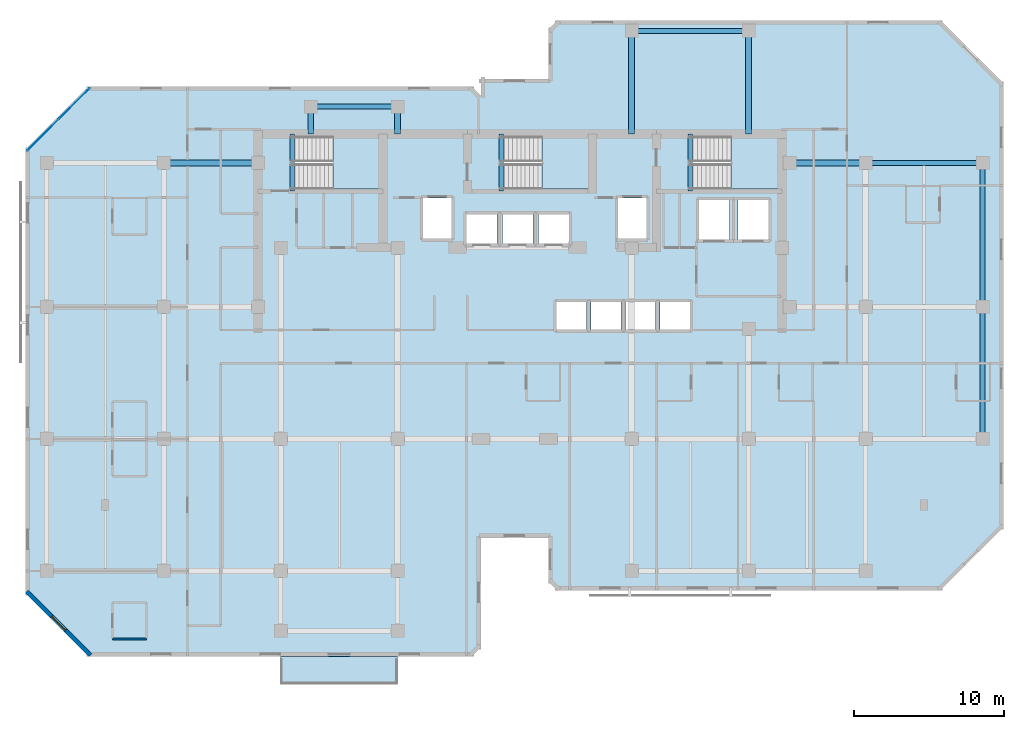
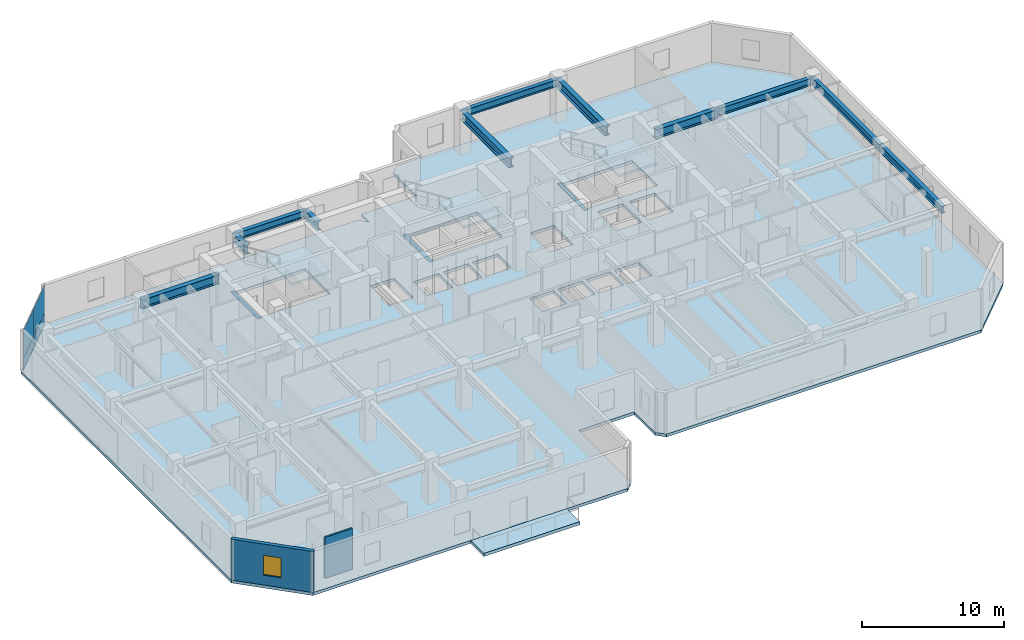
# One storey, part 3 of 10: 14 beams, 5 slabs, 4 plates, 2 walls, 1 window, 1 opening, 4 elements without a shape of their own.
"""IFC4 building model written with IfcOpenShell, lengths in metres."""

from ifc_helpers import new_model, si_unit, direction, frame, frame_2d, origin, origin_2d, place, context, subcontext, project, spatial, polyline, rectangle, i_section, outline, extrude, material, layer, layer_set, material_profile, profile_set, type_object, element, fill, aggregate, save


model = new_model("IFC4")

# Units and contexts
model_context = context("Model", 3, precision=1e-05, world=origin(), true_north=direction((0.0, 1.0)))
body_context = subcontext(model_context, "Body", "Model", "MODEL_VIEW")
ifc_project = project(units=[si_unit("LENGTHUNIT", "METRE"), si_unit("AREAUNIT", "SQUARE_METRE"), si_unit("VOLUMEUNIT", "CUBIC_METRE"), si_unit("PLANEANGLEUNIT", "RADIAN"), si_unit("MASSUNIT", "GRAM", prefix="KILO")], contexts=[model_context])

# Site, building, storey
site_placement = place(None, origin())
site = spatial("IfcSite", under=ifc_project, at=site_placement, CompositionType="ELEMENT")
building_placement = place(site_placement, origin())
building = spatial("IfcBuilding", under=site, at=building_placement, Name="Kestravale Grand Hotel", CompositionType="ELEMENT")
storey_placement = place(building_placement, frame((0.0, 0.0, 236.5)))
storey = spatial("IfcBuildingStorey", under=building, at=storey_placement, Name="L59", CompositionType="ELEMENT", Elevation=236.5)

# Beams
ifc_material_1 = material(Name="Concrete f'c 45 MPa", Category="concrete")
ifc_material_profile_1 = material_profile(ifc_material_1, rectangle(XDim=0.300048828125, YDim=0.39990234375, at=origin_2d()))
ifc_profile_set_1 = profile_set([ifc_material_profile_1], Name="Concrete f'c 45 MPa")
beam_type_1 = type_object("IfcBeamType", Name="B-FLR-LNT400", PredefinedType="LINTEL", material=ifc_profile_set_1)
for number, where, z_axis, x_axis, name in (
    (1, (24.159912109375, 36.52001953125, -0.199951171875), (0.0, 1.0, 0.0), (-1.0, 0.0, 0.0), "L59 ST1 flight bottom header beam"),
    (2, (38.110107421875, 36.52001953125, -0.199951171875), (0.0, 1.0, 0.0), (-1.0, 0.0, 0.0), "L59 ST2 flight bottom header beam"),
    (3, (50.7099609375, 36.52001953125, -0.199951171875), (0.0, 1.0, 0.0), (-1.0, 0.0, 0.0), "L59 ST3 flight bottom header beam"),
):
    element("IfcBeam", number, at=place(storey_placement, frame(where, z_axis=z_axis, x_axis=x_axis)), inside=storey, type_object=beam_type_1, Name=name, PredefinedType="LINTEL", context=body_context, shape_type="SweptSolid", body=[
        extrude(rectangle(XDim=0.300048828125, YDim=0.39990234375, at=origin_2d()), origin(), (0.0, 0.0, 1.0), 3.800048828125),
    ])
ifc_material_2 = material(Name="Steel ASTM A992 Grade 50", Category="steel")
ifc_material_profile_2 = material_profile(ifc_material_2, i_section(OverallWidth=0.324951171875, OverallDepth=0.612060546875, WebThickness=0.0126953125, FlangeThickness=0.01904296875, FilletRadius=0.018798828125, at=origin_2d()))
ifc_profile_set_2 = profile_set([ifc_material_profile_2], Name="Steel ASTM A992 Grade 50")
beam_type_2 = type_object("IfcBeamType", Name="B-FLR-W24A", PredefinedType="SPANDREL", material=ifc_profile_set_2)
for number, where, z_axis, x_axis, name in (
    (4, (62.39990234375, 38.39990234375, 3.214111328125), (1.0, 0.0, 0.0), (0.0, 1.0, 0.0), "L59 spandrel F:10-11"),
    (5, (46.800048828125, 47.199951171875, 3.214111328125), (1.0, 0.0, 0.0), (0.0, 1.0, 0.0), "L59 spandrel G:8-9"),
):
    element("IfcBeam", number, at=place(storey_placement, frame(where, z_axis=z_axis, x_axis=x_axis)), inside=storey, type_object=beam_type_2, Name=name, PredefinedType="SPANDREL", context=body_context, shape_type="SweptSolid", body=[
        extrude(i_section(OverallWidth=0.324951171875, OverallDepth=0.612060546875, WebThickness=0.0126953125, FlangeThickness=0.01904296875, FilletRadius=0.018798828125, at=origin_2d()), origin(), (0.0, 0.0, 1.0), 7.800048828125),
    ])
beam_1_placement = place(storey_placement, frame((25.39990234375, 42.14990234375, 3.214111328125), z_axis=(1.0, 0.0, 0.0), x_axis=(0.0, 1.0, 0.0)))
element("IfcBeam", 6, at=beam_1_placement, inside=storey, type_object=beam_type_2, Name="L59 perimeter tie spandrel FN:4-5", PredefinedType="SPANDREL", context=body_context, shape_type="SweptSolid", body=[
    extrude(i_section(OverallWidth=0.324951171875, OverallDepth=0.612060546875, WebThickness=0.0126953125, FlangeThickness=0.01904296875, FilletRadius=0.018798828125, at=origin_2d()), origin(), (0.0, 0.0, 1.0), 5.800048828125),
])
beam_2_placement = place(storey_placement, frame((70.199951171875, 20.0, 3.214111328125), z_axis=(0.0, 1.0, 0.0), x_axis=(-1.0, 0.0, 0.0)))
element("IfcBeam", 7, at=beam_2_placement, inside=storey, type_object=beam_type_2, Name="L59 spandrel 11:D-E", PredefinedType="SPANDREL", context=body_context, shape_type="SweptSolid", body=[
    extrude(i_section(OverallWidth=0.324951171875, OverallDepth=0.612060546875, WebThickness=0.0126953125, FlangeThickness=0.01904296875, FilletRadius=0.018798828125, at=origin_2d()), origin(), (0.0, 0.0, 1.0), 8.800048828125),
])
beam_3_placement = place(storey_placement, frame((70.199951171875, 28.800048828125, 3.214111328125), z_axis=(0.0, 1.0, 0.0), x_axis=(-1.0, 0.0, 0.0)))
element("IfcBeam", 8, at=beam_3_placement, inside=storey, type_object=beam_type_2, Name="L59 spandrel 11:E-F", PredefinedType="SPANDREL", context=body_context, shape_type="SweptSolid", body=[
    extrude(i_section(OverallWidth=0.324951171875, OverallDepth=0.612060546875, WebThickness=0.0126953125, FlangeThickness=0.01904296875, FilletRadius=0.018798828125, at=origin_2d()), origin(), (0.0, 0.0, 1.0), 9.599853515625),
])
ifc_material_3 = material(Name="Steel ASTM A992 Grade 50", Category="steel")
ifc_material_profile_3 = material_profile(ifc_material_3, i_section(OverallWidth=0.381103515625, OverallDepth=0.77197265625, WebThickness=0.0166015625, FlangeThickness=0.027099609375, FilletRadius=0.023681640625, at=origin_2d()))
ifc_profile_set_3 = profile_set([ifc_material_profile_3], Name="Steel ASTM A992 Grade 50")
beam_type_3 = type_object("IfcBeamType", Name="B-GRD-W30", PredefinedType="BEAM", material=ifc_profile_set_3)
beam_4_placement = place(storey_placement, frame((15.60009765625, 38.39990234375, 3.134033203125), z_axis=(1.0, 0.0, 0.0), x_axis=(0.0, 1.0, 0.0)))
element("IfcBeam", 9, at=beam_4_placement, inside=storey, type_object=beam_type_3, Name="L59 girder F:3-CW", PredefinedType="BEAM", context=body_context, shape_type="SweptSolid", body=[
    extrude(i_section(OverallWidth=0.381103515625, OverallDepth=0.77197265625, WebThickness=0.0166015625, FlangeThickness=0.027099609375, FilletRadius=0.023681640625, at=origin_2d()), origin(), (0.0, 0.0, 1.0), 6.2998046875),
])
beam_5_placement = place(storey_placement, frame((57.35009765625, 38.39990234375, 3.134033203125), z_axis=(1.0, 0.0, 0.0), x_axis=(0.0, 1.0, 0.0)))
element("IfcBeam", 10, at=beam_5_placement, inside=storey, type_object=beam_type_3, Name="L59 girder F:CE-10", PredefinedType="BEAM", context=body_context, shape_type="SweptSolid", body=[
    extrude(i_section(OverallWidth=0.381103515625, OverallDepth=0.77197265625, WebThickness=0.0166015625, FlangeThickness=0.027099609375, FilletRadius=0.023681640625, at=origin_2d()), origin(), (0.0, 0.0, 1.0), 5.0498046875),
])
for number, where, z_axis, x_axis, name in (
    (11, (25.39990234375, 40.320068359375, 3.134033203125), (0.0, 1.0, 0.0), (-1.0, 0.0, 0.0), "L59 north wing tie girder 4:CN-FN"),
    (12, (31.199951171875, 40.320068359375, 3.134033203125), (0.0, 1.0, 0.0), (-1.0, 0.0, 0.0), "L59 north wing tie girder 5:CN-FN"),
):
    element("IfcBeam", number, at=place(storey_placement, frame(where, z_axis=z_axis, x_axis=x_axis)), inside=storey, type_object=beam_type_3, Name=name, PredefinedType="BEAM", context=body_context, shape_type="SweptSolid", body=[
        extrude(i_section(OverallWidth=0.381103515625, OverallDepth=0.77197265625, WebThickness=0.0166015625, FlangeThickness=0.027099609375, FilletRadius=0.023681640625, at=origin_2d()), origin(), (0.0, 0.0, 1.0), 1.829833984375),
    ])
for number, where, z_axis, x_axis, name in (
    (13, (46.800048828125, 40.320068359375, 3.134033203125), (0.0, 1.0, 0.0), (-1.0, 0.0, 0.0), "L59 north wing tie girder 8:CN-G"),
    (14, (54.60009765625, 40.320068359375, 3.134033203125), (0.0, 1.0, 0.0), (-1.0, 0.0, 0.0), "L59 north wing tie girder 9:CN-G"),
):
    element("IfcBeam", number, at=place(storey_placement, frame(where, z_axis=z_axis, x_axis=x_axis)), inside=storey, type_object=beam_type_3, Name=name, PredefinedType="BEAM", context=body_context, shape_type="SweptSolid", body=[
        extrude(i_section(OverallWidth=0.381103515625, OverallDepth=0.77197265625, WebThickness=0.0166015625, FlangeThickness=0.027099609375, FilletRadius=0.023681640625, at=origin_2d()), origin(), (0.0, 0.0, 1.0), 6.8798828125),
    ])

# Curtain wall, plates
ifc_material_4 = material(Name="Thermally broken champagne-bronze aluminium and low-E glazing", Category="aluminium")
ifc_layer_1 = layer(ifc_material_4, 0.179931640625)
ifc_layer_set_1 = layer_set([ifc_layer_1], Name="CW-Z3")
curtain_wall_type = type_object("IfcCurtainWallType", Name="CW-Z3", PredefinedType="NOTDEFINED", material=ifc_layer_set_1)
curtain_wall_placement = place(storey_placement, origin())
curtain_wall = element("IfcCurtainWall", 15, at=curtain_wall_placement, inside=storey, type_object=curtain_wall_type, Name="L59 unitised curtain wall 18", PredefinedType="NOTDEFINED")
ifc_material_5 = material(Name="Insulated clear low-E double glazing IGU", Category="glass")
ifc_layer_2 = layer(ifc_material_5, 0.031982421875)
ifc_layer_set_2 = layer_set([ifc_layer_2], Name="CW-PNL-32")
plate_type = type_object("IfcPlateType", Name="CW-PNL-32", PredefinedType="CURTAIN_PANEL", material=ifc_layer_set_2)
plate_1_placement = place(storey_placement, frame((9.64453125, 42.3466796875, 0.06494140625), z_axis=(0.0, 0.0, 1.0), x_axis=(-0.707106781187, -0.707106781187, 0.0)))
plate_1 = element("IfcPlate", 16, at=plate_1_placement, type_object=plate_type, Name="CW-Z3 panel 1.1", PredefinedType="CURTAIN_PANEL", context=body_context, shape_type="SweptSolid", body=[
    extrude(rectangle(XDim=2.892333984375, YDim=0.031982421875, at=origin_2d()), origin(), (0.0, 0.0, 1.0), 0.952392578125),
])
plate_2_placement = place(storey_placement, frame((9.64453125, 42.3466796875, 1.08251953125), z_axis=(0.0, 0.0, 1.0), x_axis=(-0.707106781187, -0.707106781187, 0.0)))
plate_2 = element("IfcPlate", 17, at=plate_2_placement, type_object=plate_type, Name="CW-Z3 panel 1.2", PredefinedType="CURTAIN_PANEL", context=body_context, shape_type="SweptSolid", body=[
    extrude(rectangle(XDim=2.892333984375, YDim=0.031982421875, at=origin_2d()), origin(), (0.0, 0.0, 1.0), 2.37255859375),
])
plate_3_placement = place(storey_placement, frame((7.553466796875, 40.25537109375, 0.06494140625), z_axis=(0.0, 0.0, 1.0), x_axis=(-0.707106781187, -0.707106781187, 0.0)))
plate_3 = element("IfcPlate", 18, at=plate_3_placement, type_object=plate_type, Name="CW-Z3 panel 2.1", PredefinedType="CURTAIN_PANEL", context=body_context, shape_type="SweptSolid", body=[
    extrude(rectangle(XDim=2.892333984375, YDim=0.031982421875, at=origin_2d()), origin(), (0.0, 0.0, 1.0), 0.952392578125),
])
plate_4_placement = place(storey_placement, frame((7.553466796875, 40.25537109375, 1.08251953125), z_axis=(0.0, 0.0, 1.0), x_axis=(-0.707106781187, -0.707106781187, 0.0)))
plate_4 = element("IfcPlate", 19, at=plate_4_placement, type_object=plate_type, Name="CW-Z3 panel 2.2", PredefinedType="CURTAIN_PANEL", context=body_context, shape_type="SweptSolid", body=[
    extrude(rectangle(XDim=2.892333984375, YDim=0.031982421875, at=origin_2d()), origin(), (0.0, 0.0, 1.0), 2.37255859375),
])
aggregate(curtain_wall, [plate_1, plate_2, plate_3, plate_4])

# Slab
ifc_material_6 = material(Name="Concrete f'c 45 MPa", Category="concrete")
ifc_layer_3 = layer(ifc_material_6, 0.27001953125)
ifc_layer_set_3 = layer_set([ifc_layer_3], Name="ES-TERR-270")
slab_type_1 = type_object("IfcSlabType", Name="ES-TERR-270", PredefinedType="FLOOR", material=ifc_layer_set_3)
slab_1_placement = place(storey_placement, frame((0.0, 0.0, -0.27001953125)))
element("IfcSlab", 20, at=slab_1_placement, inside=storey, type_object=slab_type_1, Name="L59 spiralling planted garden terrace", PredefinedType="FLOOR", context=body_context, shape_type="SweptSolid", body=[
    extrude(outline(polyline([(23.39990234375, 3.64990234375), (31.199951171875, 3.64990234375), (31.199951171875, 5.5), (23.39990234375, 5.5), (23.39990234375, 3.64990234375)])), origin(), (0.0, 0.0, 1.0), 0.27001953125),
])

# Stair, slab
ifc_material_7 = material(Name="Concrete f'c 45 MPa", Category="concrete")
stair_type = type_object("IfcStairType", Name="ST-CORE-390", PredefinedType="HALF_TURN_STAIR", material=ifc_material_7)
stair_1_placement = place(storey_placement, origin())
stair_1 = element("IfcStair", 21, at=stair_1_placement, inside=storey, type_object=stair_type, Name="L59 ST-1", PredefinedType="HALF_TURN_STAIR")
ifc_material_8 = material(Name="Concrete f'c 45 MPa", Category="concrete")
ifc_layer_4 = layer(ifc_material_8, 0.199951171875)
ifc_layer_set_4 = layer_set([ifc_layer_4], Name="SLB-ST-LND200")
slab_type_2 = type_object("IfcSlabType", Name="SLB-ST-LND200", PredefinedType="LANDING", material=ifc_layer_set_4)
slab_2_placement = place(storey_placement, frame((0.0, 0.0, 1.75)))
slab_2 = element("IfcSlab", 22, at=slab_2_placement, type_object=slab_type_2, Name="ST-1 landing 1", PredefinedType="LANDING", context=body_context, shape_type="SweptSolid", body=[
    extrude(outline(polyline([(26.8798828125, 36.64990234375), (30.0, 36.64990234375), (30.0, 40.159912109375), (26.8798828125, 40.159912109375), (26.8798828125, 36.64990234375)])), origin(), (0.0, 0.0, 1.0), 0.199951171875),
])
aggregate(stair_1, [slab_2])

stair_2_placement = place(storey_placement, origin())
stair_2 = element("IfcStair", 23, at=stair_2_placement, inside=storey, type_object=stair_type, Name="L59 ST-2", PredefinedType="HALF_TURN_STAIR")
slab_3_placement = place(storey_placement, frame((0.0, 0.0, 1.75)))
slab_3 = element("IfcSlab", 24, at=slab_3_placement, type_object=slab_type_2, Name="ST-2 landing 1", PredefinedType="LANDING", context=body_context, shape_type="SweptSolid", body=[
    extrude(outline(polyline([(40.830078125, 36.64990234375), (43.949951171875, 36.64990234375), (43.949951171875, 40.159912109375), (40.830078125, 40.159912109375), (40.830078125, 36.64990234375)])), origin(), (0.0, 0.0, 1.0), 0.199951171875),
])
aggregate(stair_2, [slab_3])

stair_3_placement = place(storey_placement, origin())
stair_3 = element("IfcStair", 25, at=stair_3_placement, inside=storey, type_object=stair_type, Name="L59 ST-3", PredefinedType="HALF_TURN_STAIR")
slab_4_placement = place(storey_placement, frame((0.0, 0.0, 1.75)))
slab_4 = element("IfcSlab", 26, at=slab_4_placement, type_object=slab_type_2, Name="ST-3 landing 1", PredefinedType="LANDING", context=body_context, shape_type="SweptSolid", body=[
    extrude(outline(polyline([(53.429931640625, 36.64990234375), (56.550048828125, 36.64990234375), (56.550048828125, 40.159912109375), (53.429931640625, 40.159912109375), (53.429931640625, 36.64990234375)])), origin(), (0.0, 0.0, 1.0), 0.199951171875),
])
aggregate(stair_3, [slab_4])

# Slab
ifc_material_9 = material(Name="Concrete f'c 45 MPa", Category="concrete")
ifc_layer_5 = layer(ifc_material_9, 0.25)
ifc_layer_set_5 = layer_set([ifc_layer_5], Name="SS-FLR-250")
slab_type_3 = type_object("IfcSlabType", Name="SS-FLR-250", PredefinedType="FLOOR", material=ifc_layer_set_5)
slab_5_placement = place(storey_placement, frame((0.0, 0.0, -0.25)))
element("IfcSlab", 27, at=slab_5_placement, inside=storey, type_object=slab_type_3, Name="L59 structural floor slab", PredefinedType="FLOOR", context=body_context, shape_type="SweptSolid", body=[
    extrude(outline(polyline([(10.60009765625, 5.5), (36.14990234375, 5.5), (36.75, 6.10009765625), (36.75, 13.39990234375), (41.25, 13.39990234375), (41.25, 10.5), (41.85009765625, 9.89990234375), (67.39990234375, 9.89990234375), (71.60009765625, 14.10009765625), (71.60009765625, 43.699951171875), (67.39990234375, 47.89990234375), (41.85009765625, 47.89990234375), (41.25, 47.300048828125), (41.25, 44.0), (36.75, 44.0), (36.75, 42.89990234375), (36.14990234375, 43.5), (10.60009765625, 43.5), (6.39990234375, 39.300048828125), (6.39990234375, 9.699951171875), (10.60009765625, 5.5)]), holes=[polyline([(24.080078125, 36.64990234375), (30.0, 36.64990234375), (30.0, 40.159912109375), (24.080078125, 40.159912109375), (24.080078125, 36.64990234375)]), polyline([(38.030029296875, 36.64990234375), (43.949951171875, 36.64990234375), (43.949951171875, 40.159912109375), (38.030029296875, 40.159912109375), (38.030029296875, 36.64990234375)]), polyline([(50.6298828125, 36.64990234375), (56.550048828125, 36.64990234375), (56.550048828125, 40.159912109375), (50.6298828125, 40.159912109375), (50.6298828125, 36.64990234375)]), polyline([(41.804931640625, 27.280029296875), (43.794921875, 27.280029296875), (43.794921875, 29.1201171875), (41.804931640625, 29.1201171875), (41.804931640625, 27.280029296875)]), polyline([(44.10498046875, 27.280029296875), (46.094970703125, 27.280029296875), (46.094970703125, 29.1201171875), (44.10498046875, 29.1201171875), (44.10498046875, 27.280029296875)]), polyline([(46.405029296875, 27.280029296875), (48.39501953125, 27.280029296875), (48.39501953125, 29.1201171875), (46.405029296875, 29.1201171875), (46.405029296875, 27.280029296875)]), polyline([(48.705078125, 27.280029296875), (50.695068359375, 27.280029296875), (50.695068359375, 29.1201171875), (48.705078125, 29.1201171875), (48.705078125, 27.280029296875)]), polyline([(35.780029296875, 33.030029296875), (37.820068359375, 33.030029296875), (37.820068359375, 34.969970703125), (35.780029296875, 34.969970703125), (35.780029296875, 33.030029296875)]), polyline([(38.179931640625, 33.030029296875), (40.219970703125, 33.030029296875), (40.219970703125, 34.969970703125), (38.179931640625, 34.969970703125), (38.179931640625, 33.030029296875)]), polyline([(40.580078125, 33.030029296875), (42.6201171875, 33.030029296875), (42.6201171875, 34.969970703125), (40.580078125, 34.969970703125), (40.580078125, 33.030029296875)]), polyline([(32.905029296875, 33.35498046875), (34.794921875, 33.35498046875), (34.794921875, 36.044921875), (32.905029296875, 36.044921875), (32.905029296875, 33.35498046875)]), polyline([(45.905029296875, 33.35498046875), (47.794921875, 33.35498046875), (47.794921875, 36.044921875), (45.905029296875, 36.044921875), (45.905029296875, 33.35498046875)]), polyline([(51.280029296875, 33.280029296875), (53.320068359375, 33.280029296875), (53.320068359375, 35.919921875), (51.280029296875, 35.919921875), (51.280029296875, 33.280029296875)]), polyline([(53.8798828125, 33.280029296875), (55.919921875, 33.280029296875), (55.919921875, 35.919921875), (53.8798828125, 35.919921875), (53.8798828125, 33.280029296875)])]), origin(), (0.0, 0.0, 1.0), 0.25),
])

# Wall, opening, window
ifc_material_10 = material(Name="Precast concrete f'c 45 MPa", Category="concrete")
ifc_layer_6 = layer(ifc_material_10, 0.280029296875)
ifc_layer_set_6 = layer_set([ifc_layer_6], Name="EW-PREC-280")
wall_type_1 = type_object("IfcWallType", Name="EW-PREC-280", PredefinedType="SOLIDWALL", material=ifc_layer_set_6)
wall_1_placement = place(storey_placement, frame((6.470703125, 9.827392578125, 0.0), z_axis=(0.0, 0.0, 1.0), x_axis=(0.707106781187, -0.707106781187, 0.0)))
wall_1 = element("IfcWall", 28, at=wall_1_placement, inside=storey, type_object=wall_type_1, Name="L59 fluted precast facade wall 20", PredefinedType="SOLIDWALL", context=body_context, shape_type="SweptSolid", body=[
    extrude(rectangle(XDim=6.019775390625, YDim=0.280029296875, at=frame_2d((3.009765625, 0.0))), origin(), (0.0, 0.0, 1.0), 3.52001953125),
])
opening_placement = place(wall_1_placement, frame((2.35986328125, 0.0, 0.85009765625)))
opening = element("IfcOpeningElement", 29, at=opening_placement, cuts=wall_1, Name="Opening W-GUEST-1300", PredefinedType="OPENING", context=body_context, shape_type="SweptSolid", body=[
    extrude(rectangle(XDim=1.300048828125, YDim=1.699951171875, at=frame_2d((0.64990234375, 0.85009765625))), frame((0.0, 0.14990234375, 0.0), z_axis=(0.0, -1.0, 0.0), x_axis=(1.0, 0.0, 0.0)), (0.0, 0.0, 1.0), 0.300048828125),
])
ifc_material_11 = material(Name="Insulated low-E double glazing in aluminium frame", Category="aluminium")
window_type = type_object("IfcWindowType", Name="W-GUEST-1300", PartitioningType="SINGLE_PANEL", PredefinedType="WINDOW", material=ifc_material_11)
window_placement = place(opening_placement, origin())
window = element("IfcWindow", 30, at=window_placement, inside=storey, type_object=window_type, Name="L59 exterior window 20.1", OverallHeight=1.699951171875, OverallWidth=1.300048828125, PartitioningType="SINGLE_PANEL", PredefinedType="WINDOW", context=body_context, shape_type="SweptSolid", body=[
    extrude(rectangle(XDim=1.300048828125, YDim=1.699951171875, at=frame_2d((0.64990234375, 0.85009765625))), frame((0.0, 0.030029296875, 0.0), z_axis=(0.0, -1.0, 0.0), x_axis=(1.0, 0.0, 0.0)), (0.0, 0.0, 1.0), 0.06005859375),
])
fill(opening, window)

# Wall
ifc_material_12 = material(Name="Moisture-resistant tile-backer plumbing chase wall", Category="other")
ifc_layer_7 = layer(ifc_material_12, 0.139892578125)
ifc_layer_set_7 = layer_set([ifc_layer_7], Name="IW-PLB-140")
wall_type_2 = type_object("IfcWallType", Name="IW-PLB-140", PredefinedType="PLUMBINGWALL", material=ifc_layer_set_7)
wall_2_placement = place(storey_placement, frame((12.199951171875, 6.64990234375, 0.0), z_axis=(0.0, 0.0, 1.0), x_axis=(1.0, 0.0, 0.0)))
element("IfcWall", 31, at=wall_2_placement, inside=storey, type_object=wall_type_2, Name="W-L59-U04-BS", PredefinedType="PLUMBINGWALL", context=body_context, shape_type="SweptSolid", body=[
    extrude(rectangle(XDim=2.25, YDim=0.139892578125, at=frame_2d((1.125, 0.0))), origin(), (0.0, 0.0, 1.0), 3.52001953125),
])

save(model, "model.ifc")
